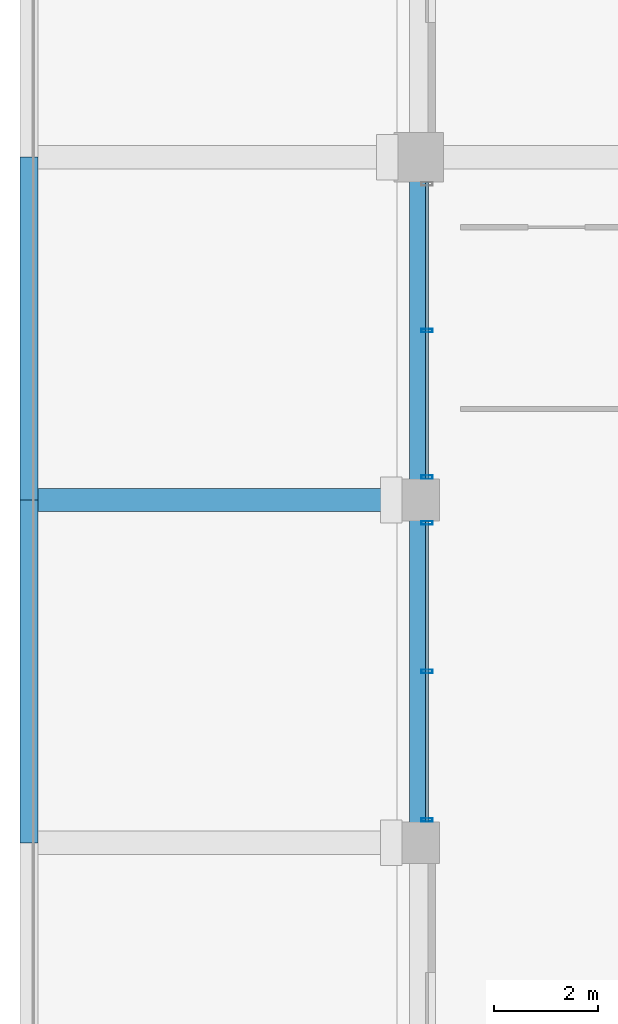
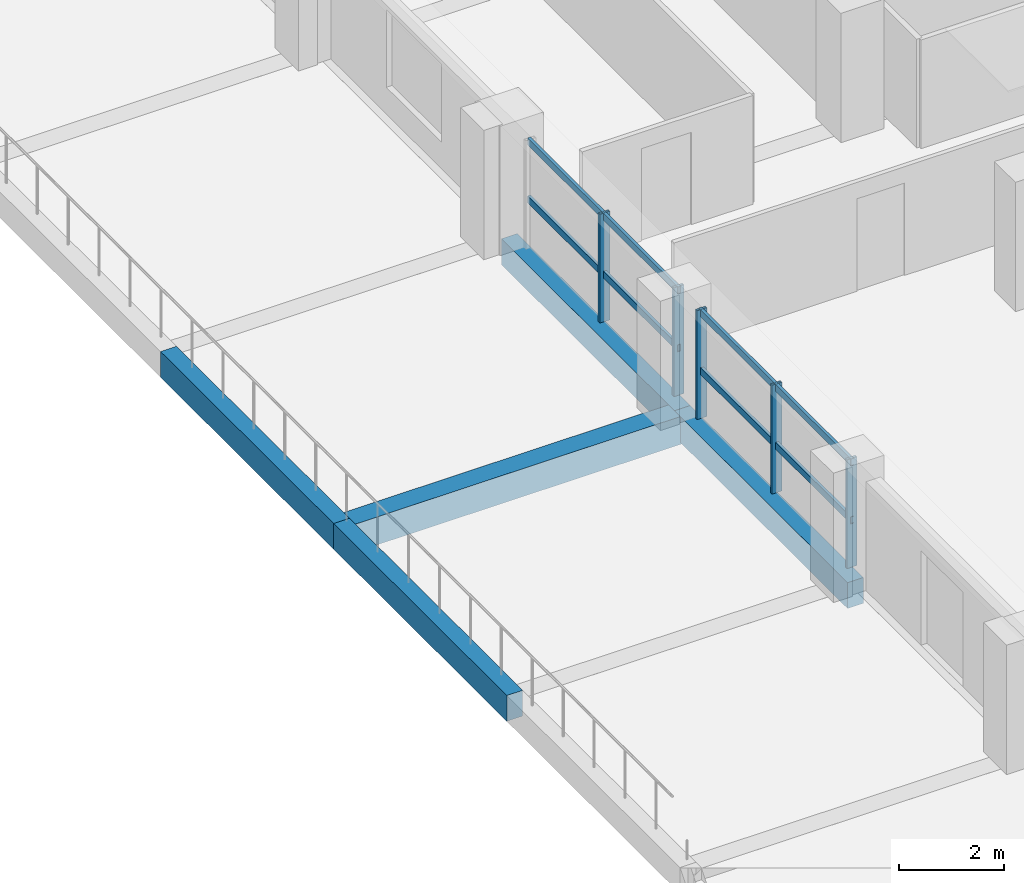
# One storey, part 6 of 22: 9 members, 5 beams, 2 elements without a shape of their own.
"""IFC4 building model written with IfcOpenShell, lengths in metres."""

from ifc_helpers import new_model, si_unit, direction, frame, origin, origin_2d, place, context, subcontext, project, spatial, rectangle, hollow_rectangle, extrude, material, material_profile, profile_set, type_object, element, aggregate, save


model = new_model("IFC4")

# Units and contexts
model_context = context("Model", 3, precision=1e-05, world=origin(), true_north=direction((0.0, 1.0)))
body_context = subcontext(model_context, "Body", "Model", "MODEL_VIEW")
ifc_project = project(units=[si_unit("LENGTHUNIT", "METRE"), si_unit("AREAUNIT", "SQUARE_METRE"), si_unit("VOLUMEUNIT", "CUBIC_METRE"), si_unit("PLANEANGLEUNIT", "RADIAN"), si_unit("MASSUNIT", "GRAM", prefix="KILO")], contexts=[model_context])

# Site, building, storey
site_placement = place(None, origin())
site = spatial("IfcSite", under=ifc_project, at=site_placement, CompositionType="ELEMENT")
building_placement = place(site_placement, origin())
building = spatial("IfcBuilding", under=site, at=building_placement, Name="Akrevak Sports Hall", CompositionType="ELEMENT")
storey_placement = place(building_placement, frame((0.0, 0.0, 40.550048828125)))
storey = spatial("IfcBuildingStorey", under=building, at=storey_placement, Name="L09", CompositionType="ELEMENT", Elevation=40.550048828125)

# Curtain wall, members
ifc_material_1 = material(Name="Anodized Bronze Aluminium & Low-E Glass", Category="aluminium")
curtain_wall_type = type_object("IfcCurtainWallType", Name="ARC-CW-TWR-68x30", PredefinedType="NOTDEFINED", material=ifc_material_1)
curtain_wall_1_placement = place(storey_placement, origin())
curtain_wall_1 = element("IfcCurtainWall", 1, at=curtain_wall_1_placement, inside=storey, type_object=curtain_wall_type, Name="Curtain Wall CW-L09-W30", PredefinedType="NOTDEFINED")
ifc_material_2 = material(Name="Anodized Bronze Aluminium", Category="aluminium")
ifc_material_profile_1 = material_profile(ifc_material_2, hollow_rectangle(XDim=0.06494140625, YDim=0.219970703125, WallThickness=0.00439453125, at=origin_2d()), Name="CWM 65x220", Category="aluminium")
ifc_profile_set_1 = profile_set([ifc_material_profile_1], Name="Anodized Bronze Aluminium")
member_type_1 = type_object("IfcMemberType", Name="ARC-CWM-70x160", PredefinedType="MULLION", material=ifc_profile_set_1)
member_1_placement = place(storey_placement, frame((52.659912109375, 51.862548828125, 0.0), z_axis=(0.0, 0.0, 1.0), x_axis=(0.0, -1.0, 0.0)))
member_1 = element("IfcMember", 2, at=member_1_placement, type_object=member_type_1, Name="Curtain Wall Mullion CW-L09-W30-M2", PredefinedType="MULLION", context=body_context, shape_type="SweptSolid", body=[
    extrude(hollow_rectangle(XDim=0.06494140625, YDim=0.219970703125, WallThickness=0.00439453125, at=origin_2d()), origin(), (0.0, 0.0, 1.0), 2.530029296875),
])
member_2_placement = place(storey_placement, frame((52.659912109375, 49.0400390625, 0.0), z_axis=(0.0, 0.0, 1.0), x_axis=(0.0, -1.0, 0.0)))
member_2 = element("IfcMember", 3, at=member_2_placement, type_object=member_type_1, Name="Curtain Wall Mullion CW-L09-W30-M3", PredefinedType="MULLION", context=body_context, shape_type="SweptSolid", body=[
    extrude(hollow_rectangle(XDim=0.06494140625, YDim=0.219970703125, WallThickness=0.00439453125, at=origin_2d()), origin(), (0.0, 0.0, 1.0), 2.530029296875),
])

curtain_wall_2_placement = place(storey_placement, origin())
curtain_wall_2 = element("IfcCurtainWall", 4, at=curtain_wall_2_placement, inside=storey, type_object=curtain_wall_type, Name="Curtain Wall CW-L09-W31", PredefinedType="NOTDEFINED")
member_3_placement = place(storey_placement, frame((52.659912109375, 48.159912109375, 0.0), z_axis=(0.0, 0.0, 1.0), x_axis=(0.0, -1.0, 0.0)))
member_3 = element("IfcMember", 5, at=member_3_placement, type_object=member_type_1, Name="Curtain Wall Mullion CW-L09-W31-M1", PredefinedType="MULLION", context=body_context, shape_type="SweptSolid", body=[
    extrude(hollow_rectangle(XDim=0.06494140625, YDim=0.219970703125, WallThickness=0.00439453125, at=origin_2d()), origin(), (0.0, 0.0, 1.0), 2.530029296875),
])
member_4_placement = place(storey_placement, frame((52.659912109375, 45.300048828125, 0.0), z_axis=(0.0, 0.0, 1.0), x_axis=(0.0, -1.0, 0.0)))
member_4 = element("IfcMember", 6, at=member_4_placement, type_object=member_type_1, Name="Curtain Wall Mullion CW-L09-W31-M2", PredefinedType="MULLION", context=body_context, shape_type="SweptSolid", body=[
    extrude(hollow_rectangle(XDim=0.06494140625, YDim=0.219970703125, WallThickness=0.00439453125, at=origin_2d()), origin(), (0.0, 0.0, 1.0), 2.530029296875),
])
member_5_placement = place(storey_placement, frame((52.659912109375, 42.43994140625, 0.0), z_axis=(0.0, 0.0, 1.0), x_axis=(0.0, -1.0, 0.0)))
member_5 = element("IfcMember", 7, at=member_5_placement, type_object=member_type_1, Name="Curtain Wall Mullion CW-L09-W31-M3", PredefinedType="MULLION", context=body_context, shape_type="SweptSolid", body=[
    extrude(hollow_rectangle(XDim=0.06494140625, YDim=0.219970703125, WallThickness=0.00439453125, at=origin_2d()), origin(), (0.0, 0.0, 1.0), 2.530029296875),
])

# Member
ifc_material_profile_2 = material_profile(ifc_material_2, hollow_rectangle(XDim=0.06494140625, YDim=0.159912109375, WallThickness=0.00390625, at=origin_2d()), Name="CWT 65x160", Category="aluminium")
ifc_profile_set_2 = profile_set([ifc_material_profile_2], Name="Anodized Bronze Aluminium")
member_type_2 = type_object("IfcMemberType", Name="ARC-CWT-70x130", PredefinedType="USERDEFINED", material=ifc_profile_set_2)
member_6_placement = place(storey_placement, frame((52.659912109375, 54.72509765625, 1.099853515625), z_axis=(0.0, -1.0, 0.0), x_axis=(1.0, 0.0, 0.0)))
member_6 = element("IfcMember", 8, at=member_6_placement, type_object=member_type_2, Name="Curtain Wall Transom CW-L09-W30-T1", ObjectType="TRANSOM", PredefinedType="USERDEFINED", context=body_context, shape_type="SweptSolid", body=[
    extrude(hollow_rectangle(XDim=0.06494140625, YDim=0.159912109375, WallThickness=0.00390625, at=origin_2d()), origin(), (0.0, 0.0, 1.0), 5.72509765625),
])

member_7_placement = place(storey_placement, frame((52.659912109375, 54.72509765625, 2.449951171875), z_axis=(0.0, -1.0, 0.0), x_axis=(1.0, 0.0, 0.0)))
member_7 = element("IfcMember", 9, at=member_7_placement, type_object=member_type_2, Name="Curtain Wall Transom CW-L09-W30-T2", ObjectType="TRANSOM", PredefinedType="USERDEFINED", context=body_context, shape_type="SweptSolid", body=[
    extrude(hollow_rectangle(XDim=0.06494140625, YDim=0.159912109375, WallThickness=0.00390625, at=origin_2d()), origin(), (0.0, 0.0, 1.0), 5.72509765625),
])

aggregate(curtain_wall_1, [member_1, member_2, member_6, member_7])

member_8_placement = place(storey_placement, frame((52.659912109375, 48.199951171875, 1.099853515625), z_axis=(0.0, -1.0, 0.0), x_axis=(1.0, 0.0, 0.0)))
member_8 = element("IfcMember", 10, at=member_8_placement, type_object=member_type_2, Name="Curtain Wall Transom CW-L09-W31-T1", ObjectType="TRANSOM", PredefinedType="USERDEFINED", context=body_context, shape_type="SweptSolid", body=[
    extrude(hollow_rectangle(XDim=0.06494140625, YDim=0.159912109375, WallThickness=0.00390625, at=origin_2d()), origin(), (0.0, 0.0, 1.0), 5.800048828125),
])

member_9_placement = place(storey_placement, frame((52.659912109375, 48.199951171875, 2.449951171875), z_axis=(0.0, -1.0, 0.0), x_axis=(1.0, 0.0, 0.0)))
member_9 = element("IfcMember", 11, at=member_9_placement, type_object=member_type_2, Name="Curtain Wall Transom CW-L09-W31-T2", ObjectType="TRANSOM", PredefinedType="USERDEFINED", context=body_context, shape_type="SweptSolid", body=[
    extrude(hollow_rectangle(XDim=0.06494140625, YDim=0.159912109375, WallThickness=0.00390625, at=origin_2d()), origin(), (0.0, 0.0, 1.0), 5.800048828125),
])

aggregate(curtain_wall_2, [member_3, member_4, member_5, member_8, member_9])

# Beams
ifc_material_3 = material(Name="Concrete C40/50", Category="concrete")
ifc_material_profile_3 = material_profile(ifc_material_3, rectangle(XDim=0.35009765625, YDim=0.60009765625, at=origin_2d()), Name="BM 350x600", Category="concrete")
ifc_profile_set_3 = profile_set([ifc_material_profile_3], Name="Concrete C40/50")
beam_type_1 = type_object("IfcBeamType", Name="STR-BM-RC350x600", PredefinedType="BEAM", material=ifc_profile_set_3)
beam_1_placement = place(storey_placement, frame((45.0, 42.0, -0.300048828125), z_axis=(0.0, 1.0, 0.0), x_axis=(-1.0, 0.0, 0.0)))
element("IfcBeam", 12, at=beam_1_placement, inside=storey, type_object=beam_type_1, Name="Girder 7/G-H (L09)", PredefinedType="BEAM", context=body_context, shape_type="SweptSolid", body=[
    extrude(rectangle(XDim=0.35009765625, YDim=0.60009765625, at=origin_2d()), origin(), (0.0, 0.0, 1.0), 6.60009765625),
])
beam_2_placement = place(storey_placement, frame((45.0, 48.60009765625, -0.300048828125), z_axis=(0.0, 1.0, 0.0), x_axis=(-1.0, 0.0, 0.0)))
element("IfcBeam", 13, at=beam_2_placement, inside=storey, type_object=beam_type_1, Name="Girder 7/H-I (L09)", PredefinedType="BEAM", context=body_context, shape_type="SweptSolid", body=[
    extrude(rectangle(XDim=0.35009765625, YDim=0.60009765625, at=origin_2d()), origin(), (0.0, 0.0, 1.0), 6.599853515625),
])
beam_3_placement = place(storey_placement, frame((52.5, 42.0, -0.300048828125), z_axis=(0.0, 1.0, 0.0), x_axis=(-1.0, 0.0, 0.0)))
element("IfcBeam", 14, at=beam_3_placement, inside=storey, type_object=beam_type_1, Name="Girder 8/G-H (L09)", PredefinedType="BEAM", context=body_context, shape_type="SweptSolid", body=[
    extrude(rectangle(XDim=0.35009765625, YDim=0.60009765625, at=origin_2d()), origin(), (0.0, 0.0, 1.0), 6.60009765625),
])
beam_4_placement = place(storey_placement, frame((52.5, 48.60009765625, -0.300048828125), z_axis=(0.0, 1.0, 0.0), x_axis=(-1.0, 0.0, 0.0)))
element("IfcBeam", 15, at=beam_4_placement, inside=storey, type_object=beam_type_1, Name="Girder 8/H-I (L09)", PredefinedType="BEAM", context=body_context, shape_type="SweptSolid", body=[
    extrude(rectangle(XDim=0.35009765625, YDim=0.60009765625, at=origin_2d()), origin(), (0.0, 0.0, 1.0), 6.599853515625),
])
ifc_material_profile_4 = material_profile(ifc_material_3, rectangle(XDim=0.449951171875, YDim=0.64990234375, at=origin_2d()), Name="BM 450x650", Category="concrete")
ifc_profile_set_4 = profile_set([ifc_material_profile_4], Name="Concrete C40/50")
beam_type_2 = type_object("IfcBeamType", Name="STR-BM-RC450x650", PredefinedType="BEAM", material=ifc_profile_set_4)
beam_5_placement = place(storey_placement, frame((45.0, 48.60009765625, -0.324951171875), z_axis=(1.0, 0.0, 0.0), x_axis=(0.0, 1.0, 0.0)))
element("IfcBeam", 16, at=beam_5_placement, inside=storey, type_object=beam_type_2, Name="Girder H/7-8 (L09)", PredefinedType="BEAM", context=body_context, shape_type="SweptSolid", body=[
    extrude(rectangle(XDim=0.449951171875, YDim=0.64990234375, at=origin_2d()), origin(), (0.0, 0.0, 1.0), 7.5),
])

save(model, "model.ifc")
